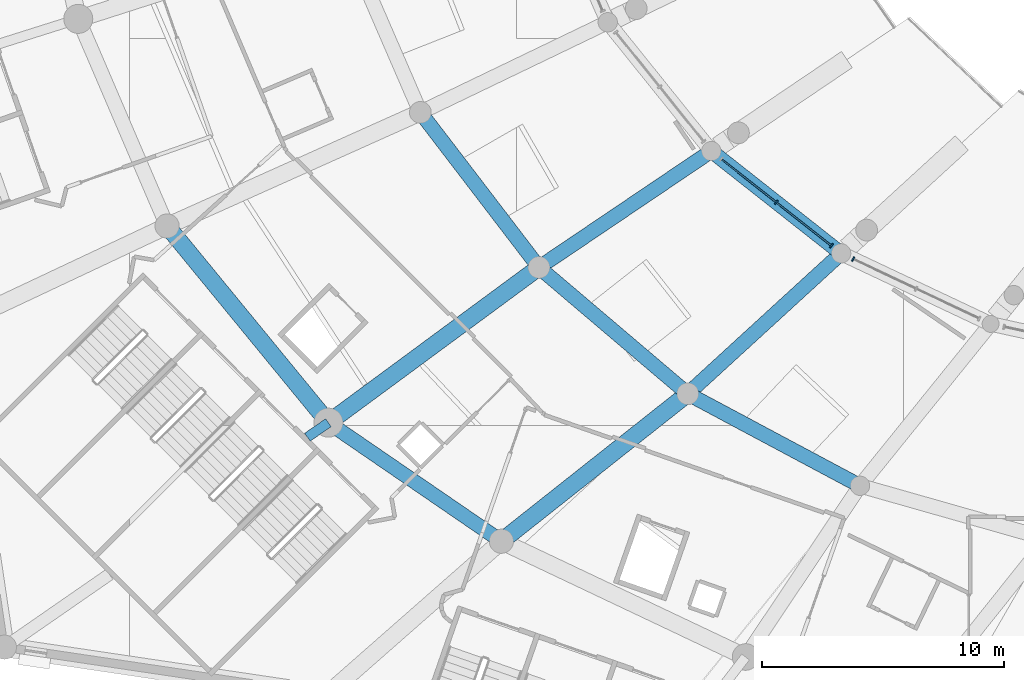
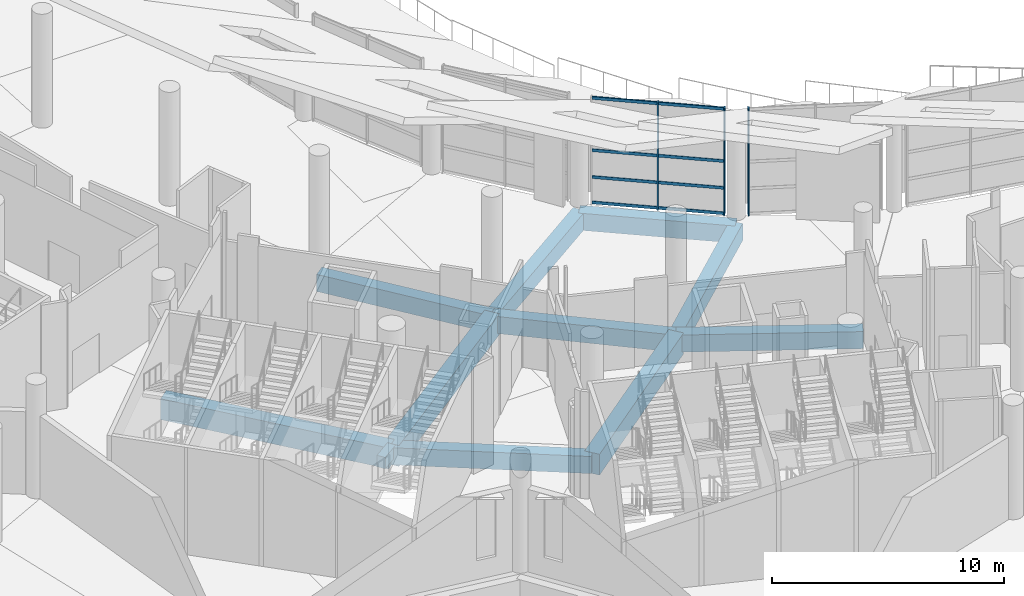
# One storey, part 10 of 249: 11 beams, 11 members, 2 elements without a shape of their own.
"""IFC4 building model written with IfcOpenShell, lengths in metres."""

from ifc_helpers import new_model, si_unit, direction, frame, origin, origin_2d, place, context, subcontext, project, spatial, rectangle, extrude, material, layer, layer_set, material_profile, profile_set, type_object, element, aggregate, save


model = new_model("IFC4")

# Units and contexts
model_context = context("Model", 3, precision=1e-05, world=origin(), true_north=direction((0.0, 1.0)))
body_context = subcontext(model_context, "Body", "Model", "MODEL_VIEW")
ifc_project = project(units=[si_unit("LENGTHUNIT", "METRE"), si_unit("AREAUNIT", "SQUARE_METRE"), si_unit("VOLUMEUNIT", "CUBIC_METRE"), si_unit("PLANEANGLEUNIT", "RADIAN"), si_unit("MASSUNIT", "GRAM", prefix="KILO")], contexts=[model_context])

# Site, building, storey
site_placement = place(None, origin())
site = spatial("IfcSite", under=ifc_project, at=site_placement, CompositionType="ELEMENT")
building_placement = place(site_placement, origin())
building = spatial("IfcBuilding", under=site, at=building_placement, Name="Meseta Stadium", CompositionType="ELEMENT")
storey_placement = place(building_placement, frame((0.0, 0.0, 12.0)))
storey = spatial("IfcBuildingStorey", under=building, at=storey_placement, Name="L02", CompositionType="ELEMENT", Elevation=12.0)

# Curtain wall, members
ifc_material_1 = material(Name="Aluminium", Category="aluminium")
ifc_layer = layer(ifc_material_1, 0.199951171875)
ifc_layer_set = layer_set([ifc_layer], Name="Suite glazing curtain wall")
curtain_wall_type = type_object("IfcCurtainWallType", Name="Suite glazing curtain wall", PredefinedType="NOTDEFINED", material=ifc_layer_set)
curtain_wall_1_placement = place(storey_placement, origin())
curtain_wall_1 = element("IfcCurtainWall", 1, at=curtain_wall_1_placement, inside=storey, type_object=curtain_wall_type, Name="Suite glazing bay 40", PredefinedType="NOTDEFINED")
ifc_material_2 = material(Name="Aluminium", Category="aluminium")
ifc_material_profile_1 = material_profile(ifc_material_2, rectangle(XDim=0.199951171875, YDim=0.06005859375, at=origin_2d()), Name="CW 200x60")
ifc_profile_set_1 = profile_set([ifc_material_profile_1], Name="Aluminium")
member_type_1 = type_object("IfcMemberType", Name="CW mullion 60x200", PredefinedType="MULLION", material=ifc_profile_set_1)
member_1_placement = place(storey_placement, frame((-53.2490234375, -70.77880859375, 0.0), z_axis=(0.0, 0.0, 1.0), x_axis=(0.61894425509, 0.785434917158, 0.0)))
member_1 = element("IfcMember", 2, at=member_1_placement, type_object=member_type_1, Name="CWS mullion 2", PredefinedType="MULLION", context=body_context, shape_type="SweptSolid", body=[
    extrude(rectangle(XDim=0.199951171875, YDim=0.06005859375, at=origin_2d()), origin(), (0.0, 0.0, 1.0), 5.64990234375),
])
member_2_placement = place(storey_placement, frame((-50.976318359375, -72.56982421875, 0.0), z_axis=(0.0, 0.0, 1.0), x_axis=(0.61894425509, 0.785434917158, 0.0)))
member_2 = element("IfcMember", 3, at=member_2_placement, type_object=member_type_1, Name="CWS mullion 3", PredefinedType="MULLION", context=body_context, shape_type="SweptSolid", body=[
    extrude(rectangle(XDim=0.199951171875, YDim=0.06005859375, at=origin_2d()), origin(), (0.0, 0.0, 1.0), 5.64990234375),
])

# Curtain wall, member
curtain_wall_2_placement = place(storey_placement, origin())
curtain_wall_2 = element("IfcCurtainWall", 4, at=curtain_wall_2_placement, inside=storey, type_object=curtain_wall_type, Name="Suite glazing bay 41", PredefinedType="NOTDEFINED")
member_3_placement = place(storey_placement, frame((-50.076416015625, -73.12255859375, 0.0), z_axis=(0.0, 0.0, 1.0), x_axis=(0.426837356076, 0.904328409074, 0.0)))
member_3 = element("IfcMember", 5, at=member_3_placement, type_object=member_type_1, Name="CWS mullion 1", PredefinedType="MULLION", context=body_context, shape_type="SweptSolid", body=[
    extrude(rectangle(XDim=0.199951171875, YDim=0.06005859375, at=origin_2d()), origin(), (0.0, 0.0, 1.0), 5.64990234375),
])
aggregate(curtain_wall_2, [member_3])

# Member
ifc_material_3 = material(Name="Aluminium", Category="aluminium")
ifc_material_profile_2 = material_profile(ifc_material_3, rectangle(XDim=0.06005859375, YDim=0.14990234375, at=origin_2d()), Name="CW 60x150")
ifc_profile_set_2 = profile_set([ifc_material_profile_2], Name="Aluminium")
member_type_2 = type_object("IfcMemberType", Name="CW transom 60x150", PredefinedType="USERDEFINED", material=ifc_profile_set_2)
member_4_placement = place(storey_placement, frame((-55.498291015625, -69.00634765625, 0.074951171875), z_axis=(0.785420592413, -0.618962432635, 0.0), x_axis=(0.618962432635, 0.785420592413, 0.0)))
member_4 = element("IfcMember", 6, at=member_4_placement, type_object=member_type_2, Name="CWS transom 1.1", ObjectType="TRANSOM", PredefinedType="USERDEFINED", context=body_context, shape_type="SweptSolid", body=[
    extrude(rectangle(XDim=0.06005859375, YDim=0.14990234375, at=origin_2d()), origin(), (0.0, 0.0, 1.0), 2.833740234375),
])

member_5_placement = place(storey_placement, frame((-55.498291015625, -69.00634765625, 1.41259765625), z_axis=(0.785420592413, -0.618962432635, 0.0), x_axis=(0.618962432635, 0.785420592413, 0.0)))
member_5 = element("IfcMember", 7, at=member_5_placement, type_object=member_type_2, Name="CWS transom 1.2", ObjectType="TRANSOM", PredefinedType="USERDEFINED", context=body_context, shape_type="SweptSolid", body=[
    extrude(rectangle(XDim=0.06005859375, YDim=0.14990234375, at=origin_2d()), origin(), (0.0, 0.0, 1.0), 2.833740234375),
])

member_6_placement = place(storey_placement, frame((-55.498291015625, -69.00634765625, 2.824951171875), z_axis=(0.785420592413, -0.618962432635, 0.0), x_axis=(0.618962432635, 0.785420592413, 0.0)))
member_6 = element("IfcMember", 8, at=member_6_placement, type_object=member_type_2, Name="CWS transom 1.3", ObjectType="TRANSOM", PredefinedType="USERDEFINED", context=body_context, shape_type="SweptSolid", body=[
    extrude(rectangle(XDim=0.06005859375, YDim=0.14990234375, at=origin_2d()), origin(), (0.0, 0.0, 1.0), 2.833740234375),
])

member_7_placement = place(storey_placement, frame((-55.498291015625, -69.00634765625, 5.574951171875), z_axis=(0.785420592413, -0.618962432635, 0.0), x_axis=(0.618962432635, 0.785420592413, 0.0)))
member_7 = element("IfcMember", 9, at=member_7_placement, type_object=member_type_2, Name="CWS transom 1.4", ObjectType="TRANSOM", PredefinedType="USERDEFINED", context=body_context, shape_type="SweptSolid", body=[
    extrude(rectangle(XDim=0.06005859375, YDim=0.14990234375, at=origin_2d()), origin(), (0.0, 0.0, 1.0), 2.833740234375),
])

member_8_placement = place(storey_placement, frame((-53.2255859375, -70.79736328125, 0.074951171875), z_axis=(0.785420592413, -0.618962432635, 0.0), x_axis=(0.618962432635, 0.785420592413, 0.0)))
member_8 = element("IfcMember", 10, at=member_8_placement, type_object=member_type_2, Name="CWS transom 2.1", ObjectType="TRANSOM", PredefinedType="USERDEFINED", context=body_context, shape_type="SweptSolid", body=[
    extrude(rectangle(XDim=0.06005859375, YDim=0.14990234375, at=origin_2d()), origin(), (0.0, 0.0, 1.0), 2.833740234375),
])

member_9_placement = place(storey_placement, frame((-53.2255859375, -70.79736328125, 1.41259765625), z_axis=(0.785420592413, -0.618962432635, 0.0), x_axis=(0.618962432635, 0.785420592413, 0.0)))
member_9 = element("IfcMember", 11, at=member_9_placement, type_object=member_type_2, Name="CWS transom 2.2", ObjectType="TRANSOM", PredefinedType="USERDEFINED", context=body_context, shape_type="SweptSolid", body=[
    extrude(rectangle(XDim=0.06005859375, YDim=0.14990234375, at=origin_2d()), origin(), (0.0, 0.0, 1.0), 2.833740234375),
])

member_10_placement = place(storey_placement, frame((-53.2255859375, -70.79736328125, 2.824951171875), z_axis=(0.785420592413, -0.618962432635, 0.0), x_axis=(0.618962432635, 0.785420592413, 0.0)))
member_10 = element("IfcMember", 12, at=member_10_placement, type_object=member_type_2, Name="CWS transom 2.3", ObjectType="TRANSOM", PredefinedType="USERDEFINED", context=body_context, shape_type="SweptSolid", body=[
    extrude(rectangle(XDim=0.06005859375, YDim=0.14990234375, at=origin_2d()), origin(), (0.0, 0.0, 1.0), 2.833740234375),
])

member_11_placement = place(storey_placement, frame((-53.2255859375, -70.79736328125, 5.574951171875), z_axis=(0.785420592413, -0.618962432635, 0.0), x_axis=(0.618962432635, 0.785420592413, 0.0)))
member_11 = element("IfcMember", 13, at=member_11_placement, type_object=member_type_2, Name="CWS transom 2.4", ObjectType="TRANSOM", PredefinedType="USERDEFINED", context=body_context, shape_type="SweptSolid", body=[
    extrude(rectangle(XDim=0.06005859375, YDim=0.14990234375, at=origin_2d()), origin(), (0.0, 0.0, 1.0), 2.833740234375),
])

aggregate(curtain_wall_1, [member_1, member_2, member_4, member_5, member_6, member_7, member_8, member_9, member_10, member_11])

# Beams
ifc_material_4 = material(Name="Concrete C40/50", Category="concrete")
ifc_material_profile_3 = material_profile(ifc_material_4, rectangle(XDim=0.39990234375, YDim=0.60009765625, at=origin_2d()), Name="RC 400x600")
ifc_profile_set_3 = profile_set([ifc_material_profile_3], Name="Concrete C40/50")
beam_type_1 = type_object("IfcBeamType", Name="RC beam 400x600", PredefinedType="BEAM", material=ifc_profile_set_3)
beam_1_placement = place(storey_placement, frame((-71.775390625, -79.888916015625, -0.64990234375), z_axis=(-0.821959126475, -0.569546481337, 0.0), x_axis=(0.569546481337, -0.821959126475, 0.0)))
element("IfcBeam", 14, at=beam_1_placement, inside=storey, type_object=beam_type_1, Name="L02 radial beam frame 40 line P to R", PredefinedType="BEAM", context=body_context, shape_type="SweptSolid", body=[
    extrude(rectangle(XDim=0.39990234375, YDim=0.60009765625, at=origin_2d()), origin(), (0.0, 0.0, 1.0), 1.05615234375),
])
ifc_material_5 = material(Name="Concrete C40/50", Category="concrete")
ifc_material_profile_4 = material_profile(ifc_material_5, rectangle(XDim=0.60009765625, YDim=0.89990234375, at=origin_2d()), Name="RC 600x900")
ifc_profile_set_4 = profile_set([ifc_material_profile_4], Name="Concrete C40/50")
beam_type_2 = type_object("IfcBeamType", Name="RC beam 600x900", PredefinedType="BEAM", material=ifc_profile_set_4)
beam_2_placement = place(storey_placement, frame((-67.972412109375, -67.057861328125, -0.800048828125), z_axis=(0.607521948786, -0.794302890428, 0.0), x_axis=(0.794302890428, 0.607521948786, 0.0)))
element("IfcBeam", 15, at=beam_2_placement, inside=storey, type_object=beam_type_2, Name="L02 ring beam frame 39 line E", PredefinedType="BEAM", context=body_context, shape_type="SweptSolid", body=[
    extrude(rectangle(XDim=0.60009765625, YDim=0.89990234375, at=origin_2d()), origin(), (0.0, 0.0, 1.0), 8.072509765625),
])
beam_3_placement = place(storey_placement, frame((-55.940185546875, -68.658203125, -0.800048828125), z_axis=(0.785430108596, -0.618950357065, 0.0), x_axis=(0.618950357065, 0.785430108596, 0.0)))
element("IfcBeam", 16, at=beam_3_placement, inside=storey, type_object=beam_type_2, Name="L02 ring beam frame 40 line D", PredefinedType="BEAM", context=body_context, shape_type="SweptSolid", body=[
    extrude(rectangle(XDim=0.60009765625, YDim=0.89990234375, at=origin_2d()), origin(), (0.0, 0.0, 1.0), 6.835205078125),
])
beam_4_placement = place(storey_placement, frame((-63.068115234375, -73.469970703125, -0.800048828125), z_axis=(0.762201166724, -0.647340236231, 0.0), x_axis=(0.647340236231, 0.762201166724, 0.0)))
element("IfcBeam", 17, at=beam_4_placement, inside=storey, type_object=beam_type_2, Name="L02 ring beam frame 40 line E", PredefinedType="BEAM", context=body_context, shape_type="SweptSolid", body=[
    extrude(rectangle(XDim=0.60009765625, YDim=0.89990234375, at=origin_2d()), origin(), (0.0, 0.0, 1.0), 8.07275390625),
])
beam_5_placement = place(storey_placement, frame((-71.775390625, -79.888916015625, -0.800048828125), z_axis=(0.824813247637, -0.565405258662, 0.0), x_axis=(0.565405258662, 0.824813247637, 0.0)))
element("IfcBeam", 18, at=beam_5_placement, inside=storey, type_object=beam_type_2, Name="L02 ring beam frame 40 line P", PredefinedType="BEAM", context=body_context, shape_type="SweptSolid", body=[
    extrude(rectangle(XDim=0.60009765625, YDim=0.89990234375, at=origin_2d()), origin(), (0.0, 0.0, 1.0), 8.672607421875),
])
beam_6_placement = place(storey_placement, frame((-56.9150390625, -78.69580078125, -0.800048828125), z_axis=(0.882172948557, -0.47092556613, 0.0), x_axis=(0.47092556613, 0.882172948557, 0.0)))
element("IfcBeam", 19, at=beam_6_placement, inside=storey, type_object=beam_type_2, Name="L02 ring beam frame 41 line E", PredefinedType="BEAM", context=body_context, shape_type="SweptSolid", body=[
    extrude(rectangle(XDim=0.60009765625, YDim=0.89990234375, at=origin_2d()), origin(), (0.0, 0.0, 1.0), 8.075439453125),
])
for number, where, z_axis, x_axis, name in (
    (20, (-55.940185546875, -68.658203125, -0.800048828125), (-0.828826294275, -0.559506008832, 0.0), (0.559506008832, -0.828826294275, 0.0), "L02 radial beam frame 40 line D to E"),
    (21, (-50.571533203125, -72.888916015625, -0.800048828125), (-0.737617073742, -0.675219262554, 0.0), (0.675219262554, -0.737617073742, 0.0), "L02 radial beam frame 41 line D to E"),
):
    element("IfcBeam", number, at=place(storey_placement, frame(where, z_axis=z_axis, x_axis=x_axis)), inside=storey, type_object=beam_type_2, Name=name, PredefinedType="BEAM", context=body_context, shape_type="SweptSolid", body=[
        extrude(rectangle(XDim=0.60009765625, YDim=0.89990234375, at=origin_2d()), origin(), (0.0, 0.0, 1.0), 8.60009765625),
    ])
ifc_material_6 = material(Name="Concrete C40/50", Category="concrete")
ifc_material_profile_5 = material_profile(ifc_material_6, rectangle(XDim=0.699951171875, YDim=1.10009765625, at=origin_2d()), Name="RC 700x1100")
ifc_profile_set_5 = profile_set([ifc_material_profile_5], Name="Concrete C40/50")
beam_type_3 = type_object("IfcBeamType", Name="RC beam 700x1100", PredefinedType="BEAM", material=ifc_profile_set_5)
beam_7_placement = place(storey_placement, frame((-78.4453125, -71.756103515625, -0.89990234375), z_axis=(0.634137323649, -0.773220443829, 0.0), x_axis=(0.773220443829, 0.634137323649, 0.0)))
element("IfcBeam", 22, at=beam_7_placement, inside=storey, type_object=beam_type_3, Name="L02 ring beam frame 39 line P", PredefinedType="BEAM", context=body_context, shape_type="SweptSolid", body=[
    extrude(rectangle(XDim=0.699951171875, YDim=1.10009765625, at=origin_2d()), origin(), (0.0, 0.0, 1.0), 10.51806640625),
])
beam_8_placement = place(storey_placement, frame((-63.068115234375, -73.469970703125, -0.89990234375), z_axis=(-0.804920808124, -0.593382248344, 0.0), x_axis=(0.593382248344, -0.804920808124, 0.0)))
element("IfcBeam", 23, at=beam_8_placement, inside=storey, type_object=beam_type_3, Name="L02 radial beam frame 40 line E to P", PredefinedType="BEAM", context=body_context, shape_type="SweptSolid", body=[
    extrude(rectangle(XDim=0.699951171875, YDim=1.10009765625, at=origin_2d()), origin(), (0.0, 0.0, 1.0), 10.817626953125),
])
beam_9_placement = place(storey_placement, frame((-56.9150390625, -78.69580078125, -0.89990234375), z_axis=(-0.784279521113, -0.620407634352, 0.0), x_axis=(0.620407634352, -0.784279521113, 0.0)))
element("IfcBeam", 24, at=beam_9_placement, inside=storey, type_object=beam_type_3, Name="L02 radial beam frame 41 line E to P", PredefinedType="BEAM", context=body_context, shape_type="SweptSolid", body=[
    extrude(rectangle(XDim=0.699951171875, YDim=1.10009765625, at=origin_2d()), origin(), (0.0, 0.0, 1.0), 9.826904296875),
])

save(model, "model.ifc")
